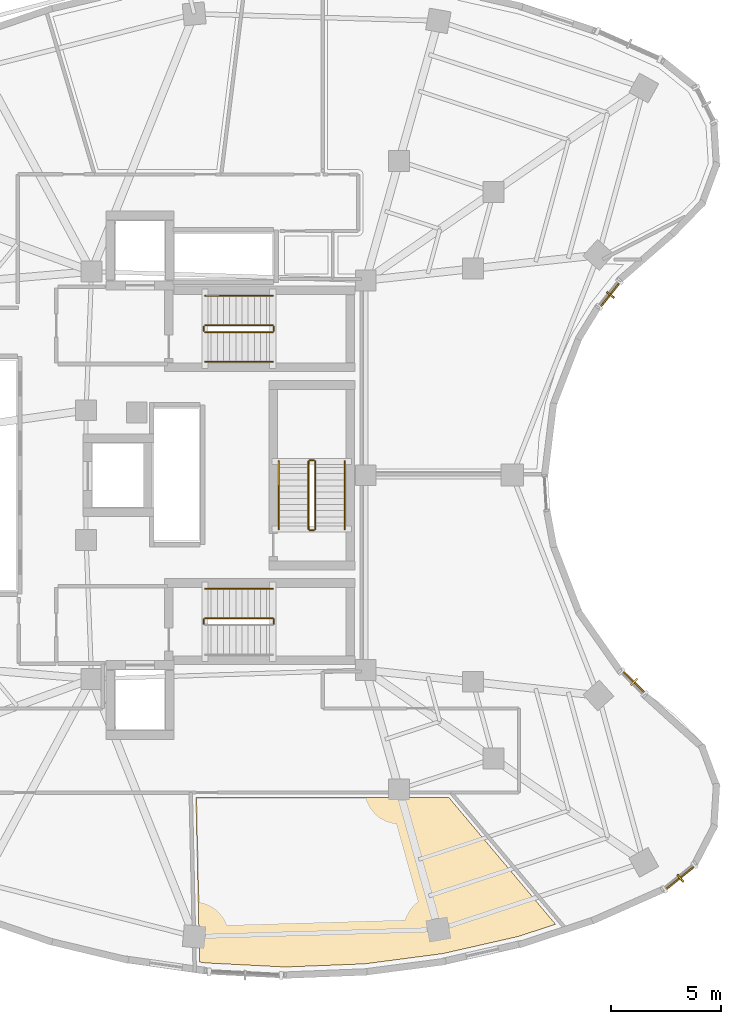
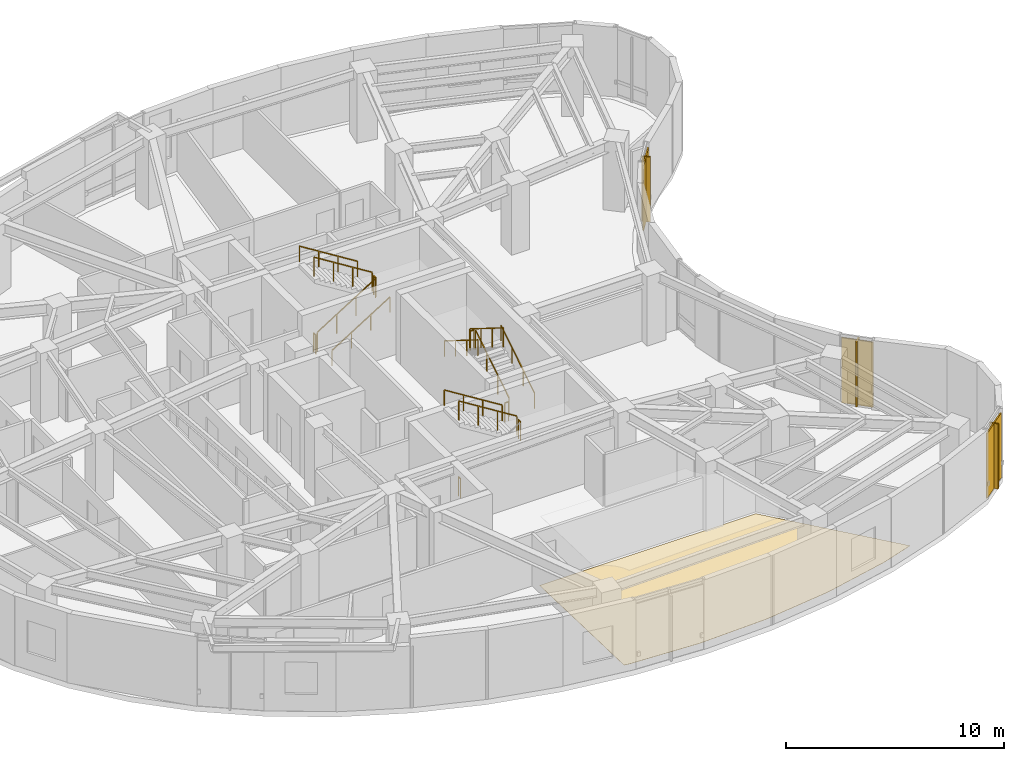
# One storey, part 14 of 15: 16 railings, 6 shading devices, 1 covering.
"""IFC4 building model written with IfcOpenShell, lengths in metres."""

from ifc_helpers import new_model, si_unit, direction, frame, origin, origin_2d, place, context, subcontext, project, spatial, polyline, rectangle, outline, extrude, material, layer, layer_set, type_object, element, save


model = new_model("IFC4")

# Units and contexts
model_context = context("Model", 3, precision=1e-05, world=origin(), true_north=direction((0.0, 1.0)))
body_context = subcontext(model_context, "Body", "Model", "MODEL_VIEW")
ifc_project = project(units=[si_unit("LENGTHUNIT", "METRE"), si_unit("AREAUNIT", "SQUARE_METRE"), si_unit("VOLUMEUNIT", "CUBIC_METRE"), si_unit("PLANEANGLEUNIT", "RADIAN"), si_unit("MASSUNIT", "GRAM", prefix="KILO")], contexts=[model_context])

# Site, building, storey
site_placement = place(None, origin())
site = spatial("IfcSite", under=ifc_project, at=site_placement, CompositionType="ELEMENT")
building_placement = place(site_placement, origin())
building = spatial("IfcBuilding", under=site, at=building_placement, Name="Korentha Bioscience Tower", CompositionType="ELEMENT")
storey_placement = place(building_placement, frame((0.0, 0.0, 218.39990234375)))
storey = spatial("IfcBuildingStorey", under=building, at=storey_placement, Name="L50", CompositionType="ELEMENT", Elevation=218.39990234375)

# Railings
ifc_material_1 = material(Name="Stainless Steel 304", Category="steel")
railing_type_1 = type_object("IfcRailingType", Name="Brushed Stainless Stair Handrail 900", PredefinedType="HANDRAIL", material=ifc_material_1)
railing_1_placement = place(storey_placement, frame((30.25, 32.14990234375, 0.175048828125)))
element("IfcRailing", 1, at=railing_1_placement, inside=storey, type_object=railing_type_1, Name="L50 ST-1 stair handrail 1", PredefinedType="HANDRAIL", context=body_context, shape_type="SweptSolid", body=[
    extrude(rectangle(XDim=0.048095703125, YDim=0.048095703125, at=origin_2d()), frame((0.0, 0.0, 0.8759765625), z_axis=(0.847998304005, 0.0, 0.529998940003), x_axis=(0.0, 1.0, 0.0)), (0.0, 0.0, 1.0), 3.632080078125),
    extrude(rectangle(XDim=0.0419921875, YDim=0.0419921875, at=origin_2d()), origin(), (0.0, 0.0, 1.0), 0.851806640625),
    extrude(rectangle(XDim=0.0419921875, YDim=0.0419921875, at=origin_2d()), frame((1.026611328125, 0.0, 0.6416015625)), (0.0, 0.0, 1.0), 0.851806640625),
    extrude(rectangle(XDim=0.0419921875, YDim=0.0419921875, at=origin_2d()), frame((2.053466796875, 0.0, 1.283447265625)), (0.0, 0.0, 1.0), 0.851806640625),
    extrude(rectangle(XDim=0.0419921875, YDim=0.0419921875, at=origin_2d()), frame((3.080078125, 0.0, 1.925048828125)), (0.0, 0.0, 1.0), 0.851806640625),
])
for number, where, name in (
    (2, (33.330078125, 35.14990234375, 2.275146484375), "L50 ST-1 stair handrail 2"),
    (3, (33.330078125, 21.85009765625, 2.275146484375), "L50 ST-2 stair handrail 2"),
):
    element("IfcRailing", number, at=place(storey_placement, frame(where)), inside=storey, type_object=railing_type_1, Name=name, PredefinedType="HANDRAIL", context=body_context, shape_type="SweptSolid", body=[
        extrude(rectangle(XDim=0.048095703125, YDim=0.048095703125, at=origin_2d()), frame((0.0, 0.0, 0.8759765625), z_axis=(-0.847998304005, 0.0, 0.529998940003), x_axis=(0.0, -1.0, 0.0)), (0.0, 0.0, 1.0), 3.632080078125),
        extrude(rectangle(XDim=0.0419921875, YDim=0.0419921875, at=origin_2d()), origin(), (0.0, 0.0, 1.0), 0.851806640625),
        extrude(rectangle(XDim=0.0419921875, YDim=0.0419921875, at=origin_2d()), frame((-1.026611328125, 0.0, 0.6416015625)), (0.0, 0.0, 1.0), 0.851806640625),
        extrude(rectangle(XDim=0.0419921875, YDim=0.0419921875, at=origin_2d()), frame((-2.053466796875, 0.0, 1.283447265625)), (0.0, 0.0, 1.0), 0.851806640625),
        extrude(rectangle(XDim=0.0419921875, YDim=0.0419921875, at=origin_2d()), frame((-3.080078125, 0.0, 1.925048828125)), (0.0, 0.0, 1.0), 0.851806640625),
    ])
railing_2_placement = place(storey_placement, frame((36.60009765625, 24.550048828125, 0.175048828125)))
element("IfcRailing", 4, at=railing_2_placement, inside=storey, type_object=railing_type_1, Name="L50 ST-3 stair handrail 1", PredefinedType="HANDRAIL", context=body_context, shape_type="SweptSolid", body=[
    extrude(rectangle(XDim=0.048095703125, YDim=0.048095703125, at=origin_2d()), frame((0.0, 0.0, 0.8759765625), z_axis=(0.0, 0.847979421464, 0.530029150871), x_axis=(-1.0, 0.0, 0.0)), (0.0, 0.0, 1.0), 3.632080078125),
    extrude(rectangle(XDim=0.0419921875, YDim=0.0419921875, at=origin_2d()), origin(), (0.0, 0.0, 1.0), 0.851806640625),
    extrude(rectangle(XDim=0.0419921875, YDim=0.0419921875, at=origin_2d()), frame((0.0, 1.026611328125, 0.6416015625)), (0.0, 0.0, 1.0), 0.851806640625),
    extrude(rectangle(XDim=0.0419921875, YDim=0.0419921875, at=origin_2d()), frame((0.0, 2.05322265625, 1.283447265625)), (0.0, 0.0, 1.0), 0.851806640625),
    extrude(rectangle(XDim=0.0419921875, YDim=0.0419921875, at=origin_2d()), frame((0.0, 3.079833984375, 1.925048828125)), (0.0, 0.0, 1.0), 0.851806640625),
])
railing_3_placement = place(storey_placement, frame((33.60009765625, 27.6298828125, 2.275146484375)))
element("IfcRailing", 5, at=railing_3_placement, inside=storey, type_object=railing_type_1, Name="L50 ST-3 stair handrail 2", PredefinedType="HANDRAIL", context=body_context, shape_type="SweptSolid", body=[
    extrude(rectangle(XDim=0.048095703125, YDim=0.048095703125, at=origin_2d()), frame((0.0, 0.0, 0.8759765625), z_axis=(0.0, -0.847979421464, 0.530029150871), x_axis=(1.0, 0.0, 0.0)), (0.0, 0.0, 1.0), 3.632080078125),
    extrude(rectangle(XDim=0.0419921875, YDim=0.0419921875, at=origin_2d()), origin(), (0.0, 0.0, 1.0), 0.851806640625),
    extrude(rectangle(XDim=0.0419921875, YDim=0.0419921875, at=origin_2d()), frame((0.0, -1.026611328125, 0.6416015625)), (0.0, 0.0, 1.0), 0.851806640625),
    extrude(rectangle(XDim=0.0419921875, YDim=0.0419921875, at=origin_2d()), frame((0.0, -2.05322265625, 1.283447265625)), (0.0, 0.0, 1.0), 0.851806640625),
    extrude(rectangle(XDim=0.0419921875, YDim=0.0419921875, at=origin_2d()), frame((0.0, -3.079833984375, 1.925048828125)), (0.0, 0.0, 1.0), 0.851806640625),
])
ifc_material_2 = material(Name="Painted Steel S275", Category="steel")
railing_type_2 = type_object("IfcRailingType", Name="Painted Steel Stair Well Guardrail 1100", PredefinedType="GUARDRAIL", material=ifc_material_2)
railing_4_placement = place(storey_placement, frame((30.25, 33.5, 0.175048828125)))
element("IfcRailing", 6, at=railing_4_placement, inside=storey, type_object=railing_type_2, Name="L50 ST-1 stair guard 1", PredefinedType="GUARDRAIL", context=body_context, shape_type="SweptSolid", body=[
    extrude(rectangle(XDim=0.048095703125, YDim=0.048095703125, at=origin_2d()), frame((0.0, 0.0, 1.076171875), z_axis=(0.847998304005, 0.0, 0.529998940003), x_axis=(0.0, 1.0, 0.0)), (0.0, 0.0, 1.0), 3.632080078125),
    extrude(rectangle(XDim=0.0419921875, YDim=0.0419921875, at=origin_2d()), origin(), (0.0, 0.0, 1.0), 1.052001953125),
    extrude(rectangle(XDim=0.0419921875, YDim=0.0419921875, at=origin_2d()), frame((1.026611328125, 0.0, 0.6416015625)), (0.0, 0.0, 1.0), 1.052001953125),
    extrude(rectangle(XDim=0.0419921875, YDim=0.0419921875, at=origin_2d()), frame((2.053466796875, 0.0, 1.283447265625)), (0.0, 0.0, 1.0), 1.052001953125),
    extrude(rectangle(XDim=0.0419921875, YDim=0.0419921875, at=origin_2d()), frame((3.080078125, 0.0, 1.925048828125)), (0.0, 0.0, 1.0), 1.052001953125),
])
railing_5_placement = place(storey_placement, frame((33.3798828125, 33.550048828125, 2.10009765625)))
element("IfcRailing", 7, at=railing_5_placement, inside=storey, type_object=railing_type_2, Name="L50 ST-1 stair guard 2", PredefinedType="GUARDRAIL", context=body_context, shape_type="SweptSolid", body=[
    extrude(rectangle(XDim=0.048095703125, YDim=0.048095703125, at=origin_2d()), frame((0.0, 0.0, 1.076171875), z_axis=(0.0, 1.0, 0.0), x_axis=(-1.0, 0.0, 0.0)), (0.0, 0.0, 1.0), 0.199951171875),
    extrude(rectangle(XDim=0.0419921875, YDim=0.0419921875, at=origin_2d()), origin(), (0.0, 0.0, 1.0), 1.052001953125),
    extrude(rectangle(XDim=0.0419921875, YDim=0.0419921875, at=origin_2d()), frame((0.0, 0.199951171875, 0.0)), (0.0, 0.0, 1.0), 1.052001953125),
])
railing_6_placement = place(storey_placement, frame((33.330078125, 33.800048828125, 2.275146484375)))
element("IfcRailing", 8, at=railing_6_placement, inside=storey, type_object=railing_type_2, Name="L50 ST-1 stair guard 3", PredefinedType="GUARDRAIL", context=body_context, shape_type="SweptSolid", body=[
    extrude(rectangle(XDim=0.048095703125, YDim=0.048095703125, at=origin_2d()), frame((0.0, 0.0, 1.076171875), z_axis=(-0.847998304005, 0.0, 0.529998940003), x_axis=(0.0, -1.0, 0.0)), (0.0, 0.0, 1.0), 3.632080078125),
    extrude(rectangle(XDim=0.0419921875, YDim=0.0419921875, at=origin_2d()), origin(), (0.0, 0.0, 1.0), 1.052001953125),
    extrude(rectangle(XDim=0.0419921875, YDim=0.0419921875, at=origin_2d()), frame((-1.026611328125, 0.0, 0.6416015625)), (0.0, 0.0, 1.0), 1.052001953125),
    extrude(rectangle(XDim=0.0419921875, YDim=0.0419921875, at=origin_2d()), frame((-2.053466796875, 0.0, 1.283447265625)), (0.0, 0.0, 1.0), 1.052001953125),
    extrude(rectangle(XDim=0.0419921875, YDim=0.0419921875, at=origin_2d()), frame((-3.080078125, 0.0, 1.925048828125)), (0.0, 0.0, 1.0), 1.052001953125),
])
for number, where, name in (
    (9, (30.199951171875, 33.550048828125, 0.0), "L50 ST-1 stair guard 4"),
    (10, (33.3798828125, 20.25, 2.10009765625), "L50 ST-2 stair guard 2"),
):
    element("IfcRailing", number, at=place(storey_placement, frame(where)), inside=storey, type_object=railing_type_2, Name=name, PredefinedType="GUARDRAIL", context=body_context, shape_type="SweptSolid", body=[
        extrude(rectangle(XDim=0.048095703125, YDim=0.048095703125, at=origin_2d()), frame((0.0, 0.0, 1.076171875), z_axis=(0.0, 1.0, 0.0), x_axis=(-1.0, 0.0, 0.0)), (0.0, 0.0, 1.0), 0.199951171875),
        extrude(rectangle(XDim=0.0419921875, YDim=0.0419921875, at=origin_2d()), origin(), (0.0, 0.0, 1.0), 1.052001953125),
        extrude(rectangle(XDim=0.0419921875, YDim=0.0419921875, at=origin_2d()), frame((0.0, 0.199951171875, 0.0)), (0.0, 0.0, 1.0), 1.052001953125),
    ])
railing_7_placement = place(storey_placement, frame((33.330078125, 20.5, 2.275146484375)))
element("IfcRailing", 11, at=railing_7_placement, inside=storey, type_object=railing_type_2, Name="L50 ST-2 stair guard 3", PredefinedType="GUARDRAIL", context=body_context, shape_type="SweptSolid", body=[
    extrude(rectangle(XDim=0.048095703125, YDim=0.048095703125, at=origin_2d()), frame((0.0, 0.0, 1.076171875), z_axis=(-0.847998304005, 0.0, 0.529998940003), x_axis=(0.0, -1.0, 0.0)), (0.0, 0.0, 1.0), 3.632080078125),
    extrude(rectangle(XDim=0.0419921875, YDim=0.0419921875, at=origin_2d()), origin(), (0.0, 0.0, 1.0), 1.052001953125),
    extrude(rectangle(XDim=0.0419921875, YDim=0.0419921875, at=origin_2d()), frame((-1.026611328125, 0.0, 0.6416015625)), (0.0, 0.0, 1.0), 1.052001953125),
    extrude(rectangle(XDim=0.0419921875, YDim=0.0419921875, at=origin_2d()), frame((-2.053466796875, 0.0, 1.283447265625)), (0.0, 0.0, 1.0), 1.052001953125),
    extrude(rectangle(XDim=0.0419921875, YDim=0.0419921875, at=origin_2d()), frame((-3.080078125, 0.0, 1.925048828125)), (0.0, 0.0, 1.0), 1.052001953125),
])
railing_8_placement = place(storey_placement, frame((30.199951171875, 20.25, 0.0)))
element("IfcRailing", 12, at=railing_8_placement, inside=storey, type_object=railing_type_2, Name="L50 ST-2 stair guard 4", PredefinedType="GUARDRAIL", context=body_context, shape_type="SweptSolid", body=[
    extrude(rectangle(XDim=0.048095703125, YDim=0.048095703125, at=origin_2d()), frame((0.0, 0.0, 1.076171875), z_axis=(0.0, 1.0, 0.0), x_axis=(-1.0, 0.0, 0.0)), (0.0, 0.0, 1.0), 0.199951171875),
    extrude(rectangle(XDim=0.0419921875, YDim=0.0419921875, at=origin_2d()), origin(), (0.0, 0.0, 1.0), 1.052001953125),
    extrude(rectangle(XDim=0.0419921875, YDim=0.0419921875, at=origin_2d()), frame((0.0, 0.199951171875, 0.0)), (0.0, 0.0, 1.0), 1.052001953125),
])
railing_9_placement = place(storey_placement, frame((35.25, 24.550048828125, 0.175048828125)))
element("IfcRailing", 13, at=railing_9_placement, inside=storey, type_object=railing_type_2, Name="L50 ST-3 stair guard 1", PredefinedType="GUARDRAIL", context=body_context, shape_type="SweptSolid", body=[
    extrude(rectangle(XDim=0.048095703125, YDim=0.048095703125, at=origin_2d()), frame((0.0, 0.0, 1.076171875), z_axis=(0.0, 0.847979421464, 0.530029150871), x_axis=(-1.0, 0.0, 0.0)), (0.0, 0.0, 1.0), 3.632080078125),
    extrude(rectangle(XDim=0.0419921875, YDim=0.0419921875, at=origin_2d()), origin(), (0.0, 0.0, 1.0), 1.052001953125),
    extrude(rectangle(XDim=0.0419921875, YDim=0.0419921875, at=origin_2d()), frame((0.0, 1.026611328125, 0.6416015625)), (0.0, 0.0, 1.0), 1.052001953125),
    extrude(rectangle(XDim=0.0419921875, YDim=0.0419921875, at=origin_2d()), frame((0.0, 2.05322265625, 1.283447265625)), (0.0, 0.0, 1.0), 1.052001953125),
    extrude(rectangle(XDim=0.0419921875, YDim=0.0419921875, at=origin_2d()), frame((0.0, 3.079833984375, 1.925048828125)), (0.0, 0.0, 1.0), 1.052001953125),
])
railing_10_placement = place(storey_placement, frame((35.199951171875, 27.679931640625, 2.10009765625)))
element("IfcRailing", 14, at=railing_10_placement, inside=storey, type_object=railing_type_2, Name="L50 ST-3 stair guard 2", PredefinedType="GUARDRAIL", context=body_context, shape_type="SweptSolid", body=[
    extrude(rectangle(XDim=0.048095703125, YDim=0.048095703125, at=origin_2d()), frame((0.0, 0.0, 1.076171875), z_axis=(-1.0, 0.0, 0.0), x_axis=(0.0, -1.0, 0.0)), (0.0, 0.0, 1.0), 0.199951171875),
    extrude(rectangle(XDim=0.0419921875, YDim=0.0419921875, at=origin_2d()), origin(), (0.0, 0.0, 1.0), 1.052001953125),
    extrude(rectangle(XDim=0.0419921875, YDim=0.0419921875, at=origin_2d()), frame((-0.199951171875, 0.0, 0.0)), (0.0, 0.0, 1.0), 1.052001953125),
])
railing_11_placement = place(storey_placement, frame((34.949951171875, 27.6298828125, 2.275146484375)))
element("IfcRailing", 15, at=railing_11_placement, inside=storey, type_object=railing_type_2, Name="L50 ST-3 stair guard 3", PredefinedType="GUARDRAIL", context=body_context, shape_type="SweptSolid", body=[
    extrude(rectangle(XDim=0.048095703125, YDim=0.048095703125, at=origin_2d()), frame((0.0, 0.0, 1.076171875), z_axis=(0.0, -0.847979421464, 0.530029150871), x_axis=(1.0, 0.0, 0.0)), (0.0, 0.0, 1.0), 3.632080078125),
    extrude(rectangle(XDim=0.0419921875, YDim=0.0419921875, at=origin_2d()), origin(), (0.0, 0.0, 1.0), 1.052001953125),
    extrude(rectangle(XDim=0.0419921875, YDim=0.0419921875, at=origin_2d()), frame((0.0, -1.026611328125, 0.6416015625)), (0.0, 0.0, 1.0), 1.052001953125),
    extrude(rectangle(XDim=0.0419921875, YDim=0.0419921875, at=origin_2d()), frame((0.0, -2.05322265625, 1.283447265625)), (0.0, 0.0, 1.0), 1.052001953125),
    extrude(rectangle(XDim=0.0419921875, YDim=0.0419921875, at=origin_2d()), frame((0.0, -3.079833984375, 1.925048828125)), (0.0, 0.0, 1.0), 1.052001953125),
])
railing_12_placement = place(storey_placement, frame((35.199951171875, 24.5, 0.0)))
element("IfcRailing", 16, at=railing_12_placement, inside=storey, type_object=railing_type_2, Name="L50 ST-3 stair guard 4", PredefinedType="GUARDRAIL", context=body_context, shape_type="SweptSolid", body=[
    extrude(rectangle(XDim=0.048095703125, YDim=0.048095703125, at=origin_2d()), frame((0.0, 0.0, 1.076171875), z_axis=(-1.0, 0.0, 0.0), x_axis=(0.0, -1.0, 0.0)), (0.0, 0.0, 1.0), 0.199951171875),
    extrude(rectangle(XDim=0.0419921875, YDim=0.0419921875, at=origin_2d()), origin(), (0.0, 0.0, 1.0), 1.052001953125),
    extrude(rectangle(XDim=0.0419921875, YDim=0.0419921875, at=origin_2d()), frame((-0.199951171875, 0.0, 0.0)), (0.0, 0.0, 1.0), 1.052001953125),
])

# Shading devices
ifc_material_3 = material(Name="Perforated Stone-Ceramic Composite", Category="masonry")
ifc_layer_1 = layer(ifc_material_3, 0.06494140625, Name="Perforated Stone-Ceramic Composite")
ifc_layer_set_1 = layer_set([ifc_layer_1], Name="Perforated Stone-Ceramic Composite (CS-01)")
shading_device_type_1 = type_object("IfcShadingDeviceType", Name="Perforated Stone-Ceramic Solar Screen Panel 65", PredefinedType="USERDEFINED", material=ifc_layer_set_1)
shading_device_placement = place(storey_placement, frame((51.822998046875, 8.712890625, 0.000244140625), z_axis=(0.0, 0.0, 1.0), x_axis=(0.779197616162, 0.626778330008, 0.0)))
element("IfcShadingDevice", 17, at=shading_device_placement, inside=storey, type_object=shading_device_type_1, Name="CW-L50-37 Perforated Stone-Ceramic Solar Screen", ObjectType="SCREEN", PredefinedType="USERDEFINED", context=body_context, shape_type="SweptSolid", body=[
    extrude(rectangle(XDim=1.83154296875, YDim=0.06494140625, at=origin_2d()), origin(), (0.0, 0.0, 1.0), 3.64990234375),
])
for number, where, z_axis, x_axis, name in (
    (18, (49.7216796875, 17.6083984375, 0.000244140625), (0.0, 0.0, 1.0), (-0.713258270268, 0.700901305388, 0.0), "CW-L50-43 Perforated Stone-Ceramic Solar Screen"),
    (19, (48.64599609375, 35.19677734375, 0.000244140625), (0.0, 0.0, 1.0), (0.622511989066, 0.782610262819, 0.0), "CW-L50-55 Perforated Stone-Ceramic Solar Screen"),
):
    element("IfcShadingDevice", number, at=place(storey_placement, frame(where, z_axis=z_axis, x_axis=x_axis)), inside=storey, type_object=shading_device_type_1, Name=name, ObjectType="SCREEN", PredefinedType="USERDEFINED", context=body_context, shape_type="SweptSolid", body=[
        extrude(rectangle(XDim=1.50341796875, YDim=0.06494140625, at=origin_2d()), origin(), (0.0, 0.0, 1.0), 3.64990234375),
    ])

# Covering
ifc_material_4 = material(Name="Chemical-Resistant Epoxy Resin", Category="polymer")
ifc_layer_2 = layer(ifc_material_4, 0.011962890625, Name="Chemical-Resistant Epoxy Resin")
ifc_layer_set_2 = layer_set([ifc_layer_2], Name="Chemical-Resistant Epoxy Resin (FL-EPX)")
covering_type = type_object("IfcCoveringType", Name="Seamless Epoxy Laboratory Flooring 12", PredefinedType="FLOORING", material=ifc_layer_set_2)
covering_placement = place(storey_placement, origin())
element("IfcCovering", 20, at=covering_placement, inside=storey, type_object=covering_type, Name="L50 Sterile Media Preparation Kitchen 05 Floor Finish", PredefinedType="FLOORING", context=body_context, shape_type="SweptSolid", body=[
    extrude(outline(polyline([(29.83642578125, 12.3701171875), (41.315673828125, 12.3701171875), (46.168701171875, 6.60986328125), (44.487060546875, 6.055419921875), (41.0400390625, 5.273681640625), (37.491455078125, 4.808349609375), (33.893310546875, 4.66650390625), (30.299072265625, 4.85009765625), (30.00439453125, 4.892333984375), (29.83642578125, 12.3701171875)])), origin(), (0.0, 0.0, 1.0), 0.01220703125),
])

# Shading devices
ifc_material_5 = material(Name="Honed Travertine Limestone", Category="masonry")
ifc_layer_3 = layer(ifc_material_5, 0.080078125, Name="Honed Travertine Limestone")
ifc_layer_set_3 = layer_set([ifc_layer_3], Name="Honed Travertine Limestone (CS-02)")
shading_device_type_2 = type_object("IfcShadingDeviceType", Name="Vertical Honed Limestone Sunshade Fin 80x420", PredefinedType="USERDEFINED", material=ifc_layer_set_3)
for number, where, z_axis, x_axis, name in (
    (21, (51.83544921875, 8.697265625, 0.000244140625), (0.0, 0.0, 1.0), (0.779197616162, 0.626778330008, 0.0), "CW-L50-37 Limestone Sunshade Fin"),
    (22, (49.735595703125, 17.622802734375, 0.000244140625), (0.0, 0.0, 1.0), (-0.713258270268, 0.700901305388, 0.0), "CW-L50-43 Limestone Sunshade Fin"),
    (23, (48.66162109375, 35.184326171875, 0.000244140625), (0.0, 0.0, 1.0), (0.622511989066, 0.782610262819, 0.0), "CW-L50-55 Limestone Sunshade Fin"),
):
    element("IfcShadingDevice", number, at=place(storey_placement, frame(where, z_axis=z_axis, x_axis=x_axis)), inside=storey, type_object=shading_device_type_2, Name=name, ObjectType="SCREEN", PredefinedType="USERDEFINED", context=body_context, shape_type="SweptSolid", body=[
        extrude(rectangle(XDim=0.080078125, YDim=0.419921875, at=origin_2d()), origin(), (0.0, 0.0, 1.0), 3.64990234375),
    ])

save(model, "model.ifc")
